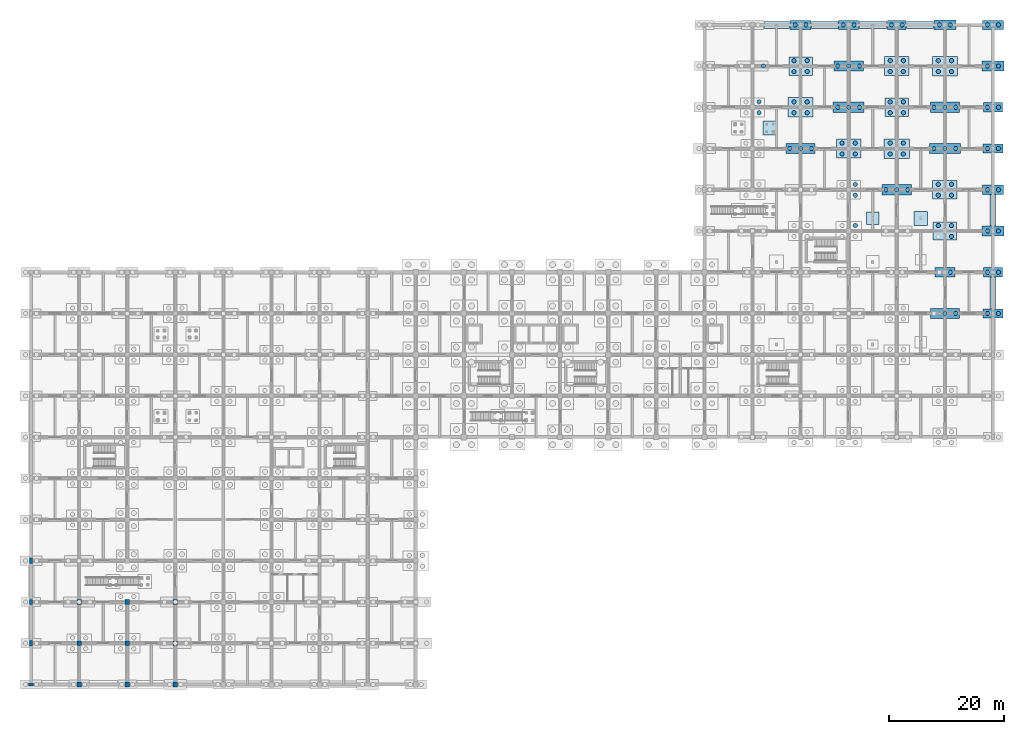
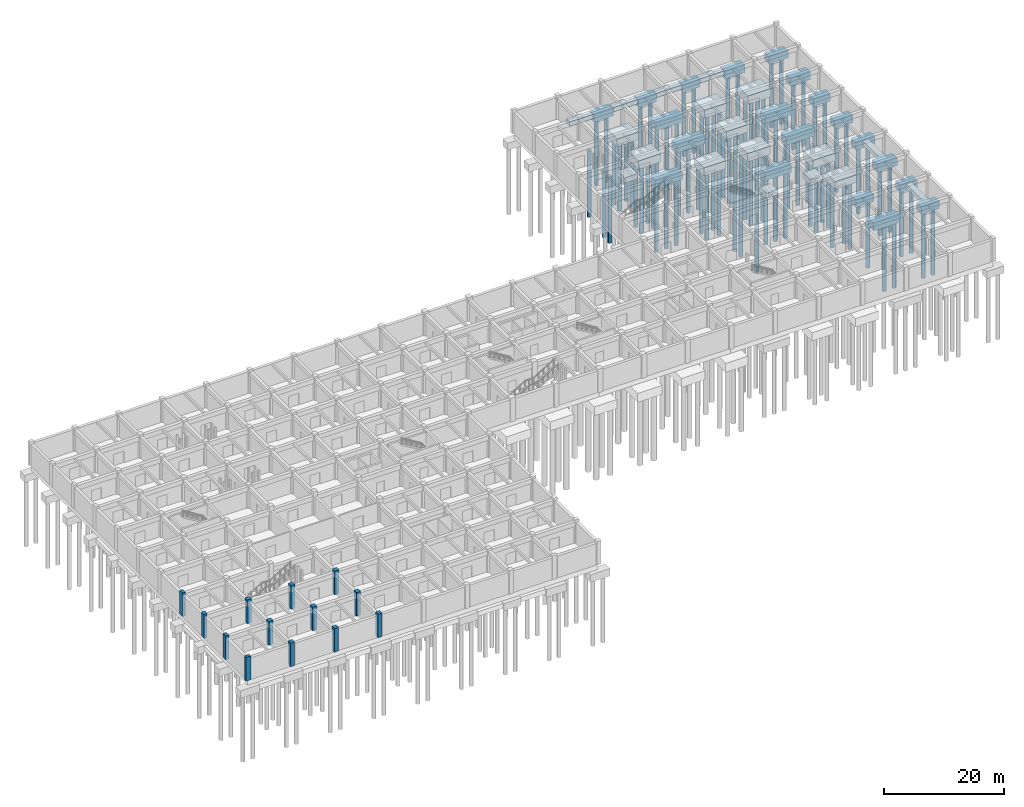
# One storey, part 5 of 38: 86 piles, 38 footings, 13 columns.
"""IFC4 building model written with IfcOpenShell, lengths in metres."""

from ifc_helpers import new_model, si_unit, derived_unit, direction, frame, origin, origin_2d, place, context, subcontext, project, spatial, rectangle, circle, extrude, material, material_profile, profile_set, type_object, element, save


model = new_model("IFC4")

# Units and contexts
model_context = context("Model", 3, precision=1e-05, world=origin(), true_north=direction((0.0, 1.0)))
body_context = subcontext(model_context, "Body", "Model", "MODEL_VIEW")
ifc_project = project(units=[si_unit("LENGTHUNIT", "METRE"), si_unit("AREAUNIT", "SQUARE_METRE"), si_unit("VOLUMEUNIT", "CUBIC_METRE"), si_unit("PLANEANGLEUNIT", "RADIAN"), si_unit("MASSUNIT", "GRAM", prefix="KILO"), derived_unit("THERMALTRANSMITTANCEUNIT", [(si_unit("MASSUNIT", "GRAM", prefix="KILO"), 1), (si_unit("TIMEUNIT", "SECOND"), -3), (si_unit("THERMODYNAMICTEMPERATUREUNIT", "KELVIN"), -1)])], contexts=[model_context])

# Site, building, storey
site_placement = place(None, origin())
site = spatial("IfcSite", under=ifc_project, at=site_placement, CompositionType="ELEMENT")
building_placement = place(site_placement, origin())
building = spatial("IfcBuilding", under=site, at=building_placement, Name="Veldstrom Oceanarium and Marine Research Institute", CompositionType="ELEMENT")
storey_placement = place(building_placement, frame((0.0, 0.0, -9.60009765625)))
storey = spatial("IfcBuildingStorey", under=building, at=storey_placement, Name="B02", CompositionType="ELEMENT", Elevation=-9.60009765625)

# Footings
ifc_material_1 = material(Name="Concrete C40/50", Category="concrete")
footing_type_1 = type_object("IfcFootingType", Name="STR-FTG-PC06", PredefinedType="PILE_CAP", material=ifc_material_1)
for number, where, z_axis, x_axis, name in (
    (1, (142.800048828125, 100.800048828125, -2.800048828125), (0.0, 0.0, 1.0), (1.0, 0.0, 0.0), "Pile Cap PC06 18/Q"),
    (2, (159.60009765625, 93.60009765625, -2.800048828125), (0.0, 0.0, 1.0), (1.0, 0.0, 0.0), "Pile Cap PC06 20/P"),
):
    element("IfcFooting", number, at=place(storey_placement, frame(where, z_axis=z_axis, x_axis=x_axis)), inside=storey, type_object=footing_type_1, Name=name, PredefinedType="PILE_CAP", context=body_context, shape_type="SweptSolid", body=[
        extrude(rectangle(XDim=5.39990234375, YDim=1.800048828125, at=origin_2d()), origin(), (0.0, 0.0, 1.0), 1.60009765625),
    ])
ifc_material_2 = material(Name="Concrete C40/50", Category="concrete")
footing_type_2 = type_object("IfcFootingType", Name="STR-FTG-PC07", PredefinedType="PILE_CAP", material=ifc_material_2)
for number, where, z_axis, x_axis, name in (
    (3, (134.39990234375, 93.60009765625, -2.75), (0.0, 0.0, 1.0), (1.0, 0.0, 0.0), "Pile Cap PC07 17/P"),
    (4, (142.800048828125, 108.0, -2.75), (0.0, 0.0, 1.0), (1.0, 0.0, 0.0), "Pile Cap PC07 18/R"),
    (5, (151.199951171875, 86.39990234375, -2.75), (0.0, 0.0, 1.0), (1.0, 0.0, 0.0), "Pile Cap PC07 19/N"),
    (6, (159.60009765625, 64.800048828125, -2.75), (0.0, 0.0, 1.0), (1.0, 0.0, 0.0), "Pile Cap PC07 20/K"),
    (7, (159.60009765625, 100.800048828125, -2.75), (0.0, 0.0, 1.0), (1.0, 0.0, 0.0), "Pile Cap PC07 20/Q"),
):
    element("IfcFooting", number, at=place(storey_placement, frame(where, z_axis=z_axis, x_axis=x_axis)), inside=storey, type_object=footing_type_2, Name=name, PredefinedType="PILE_CAP", context=body_context, shape_type="SweptSolid", body=[
        extrude(rectangle(XDim=5.10009765625, YDim=1.800048828125, at=origin_2d()), origin(), (0.0, 0.0, 1.0), 1.550048828125),
    ])
ifc_material_3 = material(Name="Concrete C40/50", Category="concrete")
footing_type_3 = type_object("IfcFootingType", Name="STR-FTG-PC08", PredefinedType="PILE_CAP", material=ifc_material_3)
for number, where, z_axis, x_axis, name in (
    (8, (134.39990234375, 115.199951171875, -2.699951171875), (0.0, 0.0, 1.0), (1.0, 0.0, 0.0), "Pile Cap PC08 17/S"),
    (9, (168.0, 86.39990234375, -2.699951171875), (0.0, 0.0, 1.0), (1.0, 0.0, 0.0), "Pile Cap PC08 21/N"),
    (10, (168.0, 115.199951171875, -2.699951171875), (0.0, 0.0, 1.0), (1.0, 0.0, 0.0), "Pile Cap PC08 21/S"),
):
    element("IfcFooting", number, at=place(storey_placement, frame(where, z_axis=z_axis, x_axis=x_axis)), inside=storey, type_object=footing_type_3, Name=name, PredefinedType="PILE_CAP", context=body_context, shape_type="SweptSolid", body=[
        extrude(rectangle(XDim=3.699951171875, YDim=1.60009765625, at=origin_2d()), origin(), (0.0, 0.0, 1.0), 1.5),
    ])
ifc_material_4 = material(Name="Concrete C40/50", Category="concrete")
footing_type_4 = type_object("IfcFootingType", Name="STR-FTG-PC09", PredefinedType="PILE_CAP", material=ifc_material_4)
for number, where, z_axis, x_axis, name in (
    (11, (142.800048828125, 115.199951171875, -2.699951171875), (0.0, 0.0, 1.0), (1.0, 0.0, 0.0), "Pile Cap PC09 18/S"),
    (12, (159.60009765625, 72.0, -2.699951171875), (0.0, 0.0, 1.0), (1.0, 0.0, 0.0), "Pile Cap PC09 20/L"),
    (13, (168.0, 64.800048828125, -2.699951171875), (0.0, 0.0, 1.0), (1.0, 0.0, 0.0), "Pile Cap PC09 21/K"),
    (14, (168.0, 93.60009765625, -2.699951171875), (0.0, 0.0, 1.0), (1.0, 0.0, 0.0), "Pile Cap PC09 21/P"),
):
    element("IfcFooting", number, at=place(storey_placement, frame(where, z_axis=z_axis, x_axis=x_axis)), inside=storey, type_object=footing_type_4, Name=name, PredefinedType="PILE_CAP", context=body_context, shape_type="SweptSolid", body=[
        extrude(rectangle(XDim=3.5, YDim=1.60009765625, at=origin_2d()), origin(), (0.0, 0.0, 1.0), 1.5),
    ])
ifc_material_5 = material(Name="Concrete C40/50", Category="concrete")
footing_type_5 = type_object("IfcFootingType", Name="STR-FTG-PC10", PredefinedType="PILE_CAP", material=ifc_material_5)
for number, where, z_axis, x_axis, name in (
    (15, (151.199951171875, 115.199951171875, -2.64990234375), (0.0, 0.0, 1.0), (1.0, 0.0, 0.0), "Pile Cap PC10 19/S"),
    (16, (168.0, 72.0, -2.64990234375), (0.0, 0.0, 1.0), (1.0, 0.0, 0.0), "Pile Cap PC10 21/L"),
    (17, (168.0, 100.800048828125, -2.64990234375), (0.0, 0.0, 1.0), (1.0, 0.0, 0.0), "Pile Cap PC10 21/Q"),
):
    element("IfcFooting", number, at=place(storey_placement, frame(where, z_axis=z_axis, x_axis=x_axis)), inside=storey, type_object=footing_type_5, Name=name, PredefinedType="PILE_CAP", context=body_context, shape_type="SweptSolid", body=[
        extrude(rectangle(XDim=3.300048828125, YDim=1.60009765625, at=origin_2d()), origin(), (0.0, 0.0, 1.0), 1.449951171875),
    ])
ifc_material_6 = material(Name="Concrete C40/50", Category="concrete")
footing_type_6 = type_object("IfcFootingType", Name="STR-FTG-PC11", PredefinedType="PILE_CAP", material=ifc_material_6)
for number, where, z_axis, x_axis, name in (
    (18, (134.39990234375, 100.800048828125, -2.89990234375), (0.0, 0.0, 1.0), (1.0, 0.0, 0.0), "Pile Cap PC11 17/Q"),
    (19, (151.199951171875, 93.60009765625, -2.89990234375), (0.0, 0.0, 1.0), (1.0, 0.0, 0.0), "Pile Cap PC11 19/P"),
    (20, (159.60009765625, 108.0, -2.89990234375), (0.0, 0.0, 1.0), (1.0, 0.0, 0.0), "Pile Cap PC11 20/R"),
):
    element("IfcFooting", number, at=place(storey_placement, frame(where, z_axis=z_axis, x_axis=x_axis)), inside=storey, type_object=footing_type_6, Name=name, PredefinedType="PILE_CAP", context=body_context, shape_type="SweptSolid", body=[
        extrude(rectangle(XDim=4.39990234375, YDim=3.39990234375, at=origin_2d()), origin(), (0.0, 0.0, 1.0), 1.699951171875),
    ])
ifc_material_7 = material(Name="Concrete C40/50", Category="concrete")
footing_type_7 = type_object("IfcFootingType", Name="STR-FTG-PC12", PredefinedType="PILE_CAP", material=ifc_material_7)
for number, where, z_axis, x_axis, name in (
    (21, (134.39990234375, 108.0, -2.800048828125), (0.0, 0.0, 1.0), (1.0, 0.0, 0.0), "Pile Cap PC12 17/R"),
    (22, (151.199951171875, 100.800048828125, -2.800048828125), (0.0, 0.0, 1.0), (1.0, 0.0, 0.0), "Pile Cap PC12 19/Q"),
    (23, (159.60009765625, 79.199951171875, -2.800048828125), (0.0, 0.0, 1.0), (1.0, 0.0, 0.0), "Pile Cap PC12 20/M"),
):
    element("IfcFooting", number, at=place(storey_placement, frame(where, z_axis=z_axis, x_axis=x_axis)), inside=storey, type_object=footing_type_7, Name=name, PredefinedType="PILE_CAP", context=body_context, shape_type="SweptSolid", body=[
        extrude(rectangle(XDim=4.10009765625, YDim=3.199951171875, at=origin_2d()), origin(), (0.0, 0.0, 1.0), 1.60009765625),
    ])
ifc_material_8 = material(Name="Concrete C40/50", Category="concrete")
footing_type_8 = type_object("IfcFootingType", Name="STR-FTG-PC13", PredefinedType="PILE_CAP", material=ifc_material_8)
for number, where, z_axis, x_axis, name in (
    (24, (142.800048828125, 93.60009765625, -2.849853515625), (0.0, 0.0, 1.0), (1.0, 0.0, 0.0), "Pile Cap PC13 18/P"),
    (25, (151.199951171875, 108.0, -2.849853515625), (0.0, 0.0, 1.0), (1.0, 0.0, 0.0), "Pile Cap PC13 19/R"),
    (26, (159.60009765625, 86.39990234375, -2.849853515625), (0.0, 0.0, 1.0), (1.0, 0.0, 0.0), "Pile Cap PC13 20/N"),
):
    element("IfcFooting", number, at=place(storey_placement, frame(where, z_axis=z_axis, x_axis=x_axis)), inside=storey, type_object=footing_type_8, Name=name, PredefinedType="PILE_CAP", context=body_context, shape_type="SweptSolid", body=[
        extrude(rectangle(XDim=4.25, YDim=3.300048828125, at=origin_2d()), origin(), (0.0, 0.0, 1.0), 1.64990234375),
    ])
ifc_material_9 = material(Name="Concrete C40/50", Category="concrete")
footing_type_9 = type_object("IfcFootingType", Name="STR-FTG-PC14", PredefinedType="PILE_CAP", material=ifc_material_9)
for number, where, z_axis, x_axis, name in (
    (27, (159.60009765625, 115.199951171875, -2.75), (0.0, 0.0, 1.0), (1.0, 0.0, 0.0), "Pile Cap PC14 20/S"),
    (28, (168.0, 79.199951171875, -2.75), (0.0, 0.0, 1.0), (1.0, 0.0, 0.0), "Pile Cap PC14 21/M"),
    (29, (168.0, 108.0, -2.75), (0.0, 0.0, 1.0), (1.0, 0.0, 0.0), "Pile Cap PC14 21/R"),
):
    element("IfcFooting", number, at=place(storey_placement, frame(where, z_axis=z_axis, x_axis=x_axis)), inside=storey, type_object=footing_type_9, Name=name, PredefinedType="PILE_CAP", context=body_context, shape_type="SweptSolid", body=[
        extrude(rectangle(XDim=3.85009765625, YDim=1.699951171875, at=origin_2d()), origin(), (0.0, 0.0, 1.0), 1.550048828125),
    ])
ifc_material_10 = material(Name="Concrete C40/50", Category="concrete")
footing_type_10 = type_object("IfcFootingType", Name="STR-FTG-PF01", PredefinedType="PAD_FOOTING", material=ifc_material_10)
for number, where, z_axis, x_axis, name in (
    (30, (155.39990234375, 81.39990234375, -2.300048828125), (0.0, 0.0, 1.0), (1.0, 0.0, 0.0), "Pad Footing PF01-01"),
    (31, (129.0400390625, 97.199951171875, -2.300048828125), (0.0, 0.0, 1.0), (1.0, 0.0, 0.0), "Gallery Stair TOP Footing PF01-GS6"),
):
    element("IfcFooting", number, at=place(storey_placement, frame(where, z_axis=z_axis, x_axis=x_axis)), inside=storey, type_object=footing_type_10, Name=name, PredefinedType="PAD_FOOTING", context=body_context, shape_type="SweptSolid", body=[
        extrude(rectangle(XDim=2.39990234375, YDim=2.39990234375, at=origin_2d()), origin(), (0.0, 0.0, 1.0), 1.10009765625),
    ])
ifc_material_11 = material(Name="Concrete C40/50", Category="concrete")
footing_type_11 = type_object("IfcFootingType", Name="STR-FTG-PF02", PredefinedType="PAD_FOOTING", material=ifc_material_11)
footing_1_placement = place(storey_placement, frame((147.0, 81.39990234375, -2.199951171875), z_axis=(0.0, 0.0, 1.0), x_axis=(1.0, 0.0, 0.0)))
element("IfcFooting", 32, at=footing_1_placement, inside=storey, type_object=footing_type_11, Name="Pad Footing PF02-02", PredefinedType="PAD_FOOTING", context=body_context, shape_type="SweptSolid", body=[
    extrude(rectangle(XDim=2.199951171875, YDim=2.199951171875, at=origin_2d()), origin(), (0.0, 0.0, 1.0), 1.0),
])
ifc_material_12 = material(Name="Concrete C40/50", Category="concrete")
footing_type_12 = type_object("IfcFootingType", Name="STR-FTG-SF03", PredefinedType="STRIP_FOOTING", material=ifc_material_12)
footing_2_placement = place(storey_placement, frame((130.237548828125, 115.199951171875, -2.099853515625), z_axis=(0.0, 0.0, 1.0), x_axis=(1.0, 0.0, 0.0)))
element("IfcFooting", 33, at=footing_2_placement, inside=storey, type_object=footing_type_12, Name="Continuous Wall Strip Footing SF03-09", PredefinedType="STRIP_FOOTING", context=body_context, shape_type="SweptSolid", body=[
    extrude(rectangle(XDim=4.5048828125, YDim=1.199951171875, at=origin_2d()), origin(), (0.0, 0.0, 1.0), 0.89990234375),
])
footing_3_placement = place(storey_placement, frame((138.64990234375, 115.199951171875, -2.099853515625), z_axis=(0.0, 0.0, 1.0), x_axis=(1.0, 0.0, 0.0)))
element("IfcFooting", 34, at=footing_3_placement, inside=storey, type_object=footing_type_12, Name="Continuous Wall Strip Footing SF03-10", PredefinedType="STRIP_FOOTING", context=body_context, shape_type="SweptSolid", body=[
    extrude(rectangle(XDim=4.679931640625, YDim=1.199951171875, at=origin_2d()), origin(), (0.0, 0.0, 1.0), 0.89990234375),
])
footing_4_placement = place(storey_placement, frame((147.050048828125, 115.199951171875, -2.099853515625), z_axis=(0.0, 0.0, 1.0), x_axis=(1.0, 0.0, 0.0)))
element("IfcFooting", 35, at=footing_4_placement, inside=storey, type_object=footing_type_12, Name="Continuous Wall Strip Footing SF03-11", PredefinedType="STRIP_FOOTING", context=body_context, shape_type="SweptSolid", body=[
    extrude(rectangle(XDim=4.8798828125, YDim=1.199951171875, at=origin_2d()), origin(), (0.0, 0.0, 1.0), 0.89990234375),
])
footing_5_placement = place(storey_placement, frame((155.262451171875, 115.199951171875, -2.099853515625), z_axis=(0.0, 0.0, 1.0), x_axis=(1.0, 0.0, 0.0)))
element("IfcFooting", 36, at=footing_5_placement, inside=storey, type_object=footing_type_12, Name="Continuous Wall Strip Footing SF03-12", PredefinedType="STRIP_FOOTING", context=body_context, shape_type="SweptSolid", body=[
    extrude(rectangle(XDim=4.705078125, YDim=1.199951171875, at=origin_2d()), origin(), (0.0, 0.0, 1.0), 0.89990234375),
])
ifc_material_13 = material(Name="Concrete C40/50", Category="concrete")
footing_type_13 = type_object("IfcFootingType", Name="STR-FTG-SF04", PredefinedType="STRIP_FOOTING", material=ifc_material_13)
footing_6_placement = place(storey_placement, frame((168.0, 68.39990234375, -2.050048828125), z_axis=(0.0, 0.0, 1.0), x_axis=(0.0, 1.0, 0.0)))
element("IfcFooting", 37, at=footing_6_placement, inside=storey, type_object=footing_type_13, Name="Continuous Wall Strip Footing SF04-18", PredefinedType="STRIP_FOOTING", context=body_context, shape_type="SweptSolid", body=[
    extrude(rectangle(XDim=5.47998046875, YDim=1.10009765625, at=origin_2d()), origin(), (0.0, 0.0, 1.0), 0.85009765625),
])
footing_7_placement = place(storey_placement, frame((168.0, 82.824951171875, -2.050048828125), z_axis=(0.0, 0.0, 1.0), x_axis=(0.0, 1.0, 0.0)))
element("IfcFooting", 38, at=footing_7_placement, inside=storey, type_object=footing_type_13, Name="Continuous Wall Strip Footing SF04-19", PredefinedType="STRIP_FOOTING", context=body_context, shape_type="SweptSolid", body=[
    extrude(rectangle(XDim=5.429931640625, YDim=1.10009765625, at=origin_2d()), origin(), (0.0, 0.0, 1.0), 0.85009765625),
])

# Piles
ifc_material_14 = material(Name="Concrete C40/50", Category="concrete")
ifc_material_profile_1 = material_profile(ifc_material_14, circle(Radius=0.375, at=origin_2d()), Name="PILE-D750")
ifc_profile_set_1 = profile_set([ifc_material_profile_1], Name="Concrete C40/50")
pile_type = type_object("IfcPileType", Name="STR-PILE-PL1", PredefinedType="BORED", material=ifc_profile_set_1)
for number, where, z_axis, x_axis, name in (
    (39, (127.14990234375, 99.85009765625, -2.849853515625), (0.0, 0.0, -1.0), (1.0, 0.0, 0.0), "Bored Pile PL1-461"),
    (40, (127.14990234375, 101.75, -2.849853515625), (0.0, 0.0, -1.0), (1.0, 0.0, 0.0), "Bored Pile PL1-463"),
    (41, (127.89990234375, 108.0, -2.7998046875), (0.0, 0.0, -1.0), (1.0, 0.0, 0.0), "Bored Pile PL1-466"),
    (42, (132.5, 93.60009765625, -2.75), (0.0, 0.0, -1.0), (1.0, 0.0, 0.0), "Bored Pile PL1-492"),
    (43, (134.39990234375, 93.60009765625, -2.75), (0.0, 0.0, -1.0), (1.0, 0.0, 0.0), "Bored Pile PL1-493"),
    (44, (136.300048828125, 93.60009765625, -2.75), (0.0, 0.0, -1.0), (1.0, 0.0, 0.0), "Bored Pile PL1-494"),
    (45, (133.25, 99.85009765625, -2.89990234375), (0.0, 0.0, -1.0), (1.0, 0.0, 0.0), "Bored Pile PL1-495"),
    (46, (135.550048828125, 99.85009765625, -2.89990234375), (0.0, 0.0, -1.0), (1.0, 0.0, 0.0), "Bored Pile PL1-496"),
    (47, (133.25, 101.75, -2.89990234375), (0.0, 0.0, -1.0), (1.0, 0.0, 0.0), "Bored Pile PL1-497"),
    (48, (135.550048828125, 101.75, -2.89990234375), (0.0, 0.0, -1.0), (1.0, 0.0, 0.0), "Bored Pile PL1-498"),
    (49, (133.25, 107.050048828125, -2.7998046875), (0.0, 0.0, -1.0), (1.0, 0.0, 0.0), "Bored Pile PL1-499"),
    (50, (135.550048828125, 107.050048828125, -2.7998046875), (0.0, 0.0, -1.0), (1.0, 0.0, 0.0), "Bored Pile PL1-500"),
    (51, (133.25, 108.949951171875, -2.7998046875), (0.0, 0.0, -1.0), (1.0, 0.0, 0.0), "Bored Pile PL1-501"),
    (52, (135.550048828125, 108.949951171875, -2.7998046875), (0.0, 0.0, -1.0), (1.0, 0.0, 0.0), "Bored Pile PL1-502"),
    (53, (133.449951171875, 115.199951171875, -2.699951171875), (0.0, 0.0, -1.0), (1.0, 0.0, 0.0), "Bored Pile PL1-503"),
    (54, (135.35009765625, 115.199951171875, -2.699951171875), (0.0, 0.0, -1.0), (1.0, 0.0, 0.0), "Bored Pile PL1-504"),
    (55, (143.949951171875, 80.14990234375, -2.89990234375), (0.0, 0.0, -1.0), (1.0, 0.0, 0.0), "Bored Pile PL1-525"),
    (56, (143.949951171875, 85.449951171875, -2.7998046875), (0.0, 0.0, -1.0), (1.0, 0.0, 0.0), "Bored Pile PL1-527"),
    (57, (143.949951171875, 87.35009765625, -2.7998046875), (0.0, 0.0, -1.0), (1.0, 0.0, 0.0), "Bored Pile PL1-529"),
    (58, (141.64990234375, 92.64990234375, -2.849853515625), (0.0, 0.0, -1.0), (1.0, 0.0, 0.0), "Bored Pile PL1-530"),
    (59, (143.949951171875, 92.64990234375, -2.849853515625), (0.0, 0.0, -1.0), (1.0, 0.0, 0.0), "Bored Pile PL1-531"),
    (60, (141.64990234375, 94.550048828125, -2.849853515625), (0.0, 0.0, -1.0), (1.0, 0.0, 0.0), "Bored Pile PL1-532"),
    (61, (143.949951171875, 94.550048828125, -2.849853515625), (0.0, 0.0, -1.0), (1.0, 0.0, 0.0), "Bored Pile PL1-533"),
    (62, (140.89990234375, 100.800048828125, -2.7998046875), (0.0, 0.0, -1.0), (1.0, 0.0, 0.0), "Bored Pile PL1-534"),
    (63, (142.800048828125, 100.800048828125, -2.7998046875), (0.0, 0.0, -1.0), (1.0, 0.0, 0.0), "Bored Pile PL1-535"),
    (64, (144.699951171875, 100.800048828125, -2.7998046875), (0.0, 0.0, -1.0), (1.0, 0.0, 0.0), "Bored Pile PL1-536"),
    (65, (140.89990234375, 108.0, -2.75), (0.0, 0.0, -1.0), (1.0, 0.0, 0.0), "Bored Pile PL1-537"),
    (66, (142.800048828125, 108.0, -2.75), (0.0, 0.0, -1.0), (1.0, 0.0, 0.0), "Bored Pile PL1-538"),
    (67, (144.699951171875, 108.0, -2.75), (0.0, 0.0, -1.0), (1.0, 0.0, 0.0), "Bored Pile PL1-539"),
    (68, (141.85009765625, 115.199951171875, -2.699951171875), (0.0, 0.0, -1.0), (1.0, 0.0, 0.0), "Bored Pile PL1-540"),
    (69, (143.75, 115.199951171875, -2.699951171875), (0.0, 0.0, -1.0), (1.0, 0.0, 0.0), "Bored Pile PL1-541"),
    (70, (149.300048828125, 86.39990234375, -2.75), (0.0, 0.0, -1.0), (1.0, 0.0, 0.0), "Bored Pile PL1-561"),
    (71, (151.199951171875, 86.39990234375, -2.75), (0.0, 0.0, -1.0), (1.0, 0.0, 0.0), "Bored Pile PL1-562"),
    (72, (153.10009765625, 86.39990234375, -2.75), (0.0, 0.0, -1.0), (1.0, 0.0, 0.0), "Bored Pile PL1-563"),
    (73, (150.050048828125, 92.64990234375, -2.89990234375), (0.0, 0.0, -1.0), (1.0, 0.0, 0.0), "Bored Pile PL1-564"),
    (74, (152.35009765625, 92.64990234375, -2.89990234375), (0.0, 0.0, -1.0), (1.0, 0.0, 0.0), "Bored Pile PL1-565"),
    (75, (150.050048828125, 94.550048828125, -2.89990234375), (0.0, 0.0, -1.0), (1.0, 0.0, 0.0), "Bored Pile PL1-566"),
    (76, (152.35009765625, 94.550048828125, -2.89990234375), (0.0, 0.0, -1.0), (1.0, 0.0, 0.0), "Bored Pile PL1-567"),
    (77, (150.050048828125, 99.85009765625, -2.7998046875), (0.0, 0.0, -1.0), (1.0, 0.0, 0.0), "Bored Pile PL1-568"),
    (78, (152.35009765625, 99.85009765625, -2.7998046875), (0.0, 0.0, -1.0), (1.0, 0.0, 0.0), "Bored Pile PL1-569"),
    (79, (150.050048828125, 101.75, -2.7998046875), (0.0, 0.0, -1.0), (1.0, 0.0, 0.0), "Bored Pile PL1-570"),
    (80, (152.35009765625, 101.75, -2.7998046875), (0.0, 0.0, -1.0), (1.0, 0.0, 0.0), "Bored Pile PL1-571"),
    (81, (150.050048828125, 107.050048828125, -2.849853515625), (0.0, 0.0, -1.0), (1.0, 0.0, 0.0), "Bored Pile PL1-572"),
    (82, (152.35009765625, 107.050048828125, -2.849853515625), (0.0, 0.0, -1.0), (1.0, 0.0, 0.0), "Bored Pile PL1-573"),
    (83, (150.050048828125, 108.949951171875, -2.849853515625), (0.0, 0.0, -1.0), (1.0, 0.0, 0.0), "Bored Pile PL1-574"),
    (84, (152.35009765625, 108.949951171875, -2.849853515625), (0.0, 0.0, -1.0), (1.0, 0.0, 0.0), "Bored Pile PL1-575"),
    (85, (150.25, 115.199951171875, -2.64990234375), (0.0, 0.0, -1.0), (1.0, 0.0, 0.0), "Bored Pile PL1-576"),
    (86, (152.14990234375, 115.199951171875, -2.64990234375), (0.0, 0.0, -1.0), (1.0, 0.0, 0.0), "Bored Pile PL1-577"),
    (87, (159.60009765625, 64.800048828125, -2.75), (0.0, 0.0, -1.0), (1.0, 0.0, 0.0), "Bored Pile PL1-590"),
    (88, (161.5, 64.800048828125, -2.75), (0.0, 0.0, -1.0), (1.0, 0.0, 0.0), "Bored Pile PL1-591"),
    (89, (160.550048828125, 72.0, -2.699951171875), (0.0, 0.0, -1.0), (1.0, 0.0, 0.0), "Bored Pile PL1-593"),
    (90, (160.75, 78.25, -2.7998046875), (0.0, 0.0, -1.0), (1.0, 0.0, 0.0), "Bored Pile PL1-595"),
    (91, (158.449951171875, 80.14990234375, -2.7998046875), (0.0, 0.0, -1.0), (1.0, 0.0, 0.0), "Bored Pile PL1-596"),
    (92, (160.75, 80.14990234375, -2.7998046875), (0.0, 0.0, -1.0), (1.0, 0.0, 0.0), "Bored Pile PL1-597"),
    (93, (158.449951171875, 85.449951171875, -2.849853515625), (0.0, 0.0, -1.0), (1.0, 0.0, 0.0), "Bored Pile PL1-598"),
    (94, (160.75, 85.449951171875, -2.849853515625), (0.0, 0.0, -1.0), (1.0, 0.0, 0.0), "Bored Pile PL1-599"),
    (95, (158.449951171875, 87.35009765625, -2.849853515625), (0.0, 0.0, -1.0), (1.0, 0.0, 0.0), "Bored Pile PL1-600"),
    (96, (160.75, 87.35009765625, -2.849853515625), (0.0, 0.0, -1.0), (1.0, 0.0, 0.0), "Bored Pile PL1-601"),
    (97, (157.699951171875, 93.60009765625, -2.7998046875), (0.0, 0.0, -1.0), (1.0, 0.0, 0.0), "Bored Pile PL1-602"),
    (98, (159.60009765625, 93.60009765625, -2.7998046875), (0.0, 0.0, -1.0), (1.0, 0.0, 0.0), "Bored Pile PL1-603"),
    (99, (161.5, 93.60009765625, -2.7998046875), (0.0, 0.0, -1.0), (1.0, 0.0, 0.0), "Bored Pile PL1-604"),
    (100, (157.699951171875, 100.800048828125, -2.75), (0.0, 0.0, -1.0), (1.0, 0.0, 0.0), "Bored Pile PL1-605"),
    (101, (159.60009765625, 100.800048828125, -2.75), (0.0, 0.0, -1.0), (1.0, 0.0, 0.0), "Bored Pile PL1-606"),
    (102, (161.5, 100.800048828125, -2.75), (0.0, 0.0, -1.0), (1.0, 0.0, 0.0), "Bored Pile PL1-607"),
    (103, (158.449951171875, 107.050048828125, -2.89990234375), (0.0, 0.0, -1.0), (1.0, 0.0, 0.0), "Bored Pile PL1-608"),
    (104, (160.75, 107.050048828125, -2.89990234375), (0.0, 0.0, -1.0), (1.0, 0.0, 0.0), "Bored Pile PL1-609"),
    (105, (158.449951171875, 108.949951171875, -2.89990234375), (0.0, 0.0, -1.0), (1.0, 0.0, 0.0), "Bored Pile PL1-610"),
    (106, (160.75, 108.949951171875, -2.89990234375), (0.0, 0.0, -1.0), (1.0, 0.0, 0.0), "Bored Pile PL1-611"),
    (107, (158.64990234375, 115.199951171875, -2.75), (0.0, 0.0, -1.0), (1.0, 0.0, 0.0), "Bored Pile PL1-612"),
    (108, (160.550048828125, 115.199951171875, -2.75), (0.0, 0.0, -1.0), (1.0, 0.0, 0.0), "Bored Pile PL1-613"),
    (109, (167.050048828125, 64.800048828125, -2.699951171875), (0.0, 0.0, -1.0), (1.0, 0.0, 0.0), "Bored Pile PL1-620"),
    (110, (168.949951171875, 64.800048828125, -2.699951171875), (0.0, 0.0, -1.0), (1.0, 0.0, 0.0), "Bored Pile PL1-621"),
    (111, (167.050048828125, 72.0, -2.64990234375), (0.0, 0.0, -1.0), (1.0, 0.0, 0.0), "Bored Pile PL1-622"),
    (112, (168.949951171875, 72.0, -2.64990234375), (0.0, 0.0, -1.0), (1.0, 0.0, 0.0), "Bored Pile PL1-623"),
    (113, (167.050048828125, 79.199951171875, -2.75), (0.0, 0.0, -1.0), (1.0, 0.0, 0.0), "Bored Pile PL1-624"),
    (114, (168.949951171875, 79.199951171875, -2.75), (0.0, 0.0, -1.0), (1.0, 0.0, 0.0), "Bored Pile PL1-625"),
    (115, (167.050048828125, 86.39990234375, -2.699951171875), (0.0, 0.0, -1.0), (1.0, 0.0, 0.0), "Bored Pile PL1-626"),
    (116, (168.949951171875, 86.39990234375, -2.699951171875), (0.0, 0.0, -1.0), (1.0, 0.0, 0.0), "Bored Pile PL1-627"),
    (117, (167.050048828125, 93.60009765625, -2.699951171875), (0.0, 0.0, -1.0), (1.0, 0.0, 0.0), "Bored Pile PL1-628"),
    (118, (168.949951171875, 93.60009765625, -2.699951171875), (0.0, 0.0, -1.0), (1.0, 0.0, 0.0), "Bored Pile PL1-629"),
    (119, (167.050048828125, 100.800048828125, -2.64990234375), (0.0, 0.0, -1.0), (1.0, 0.0, 0.0), "Bored Pile PL1-630"),
    (120, (168.949951171875, 100.800048828125, -2.64990234375), (0.0, 0.0, -1.0), (1.0, 0.0, 0.0), "Bored Pile PL1-631"),
    (121, (167.050048828125, 108.0, -2.75), (0.0, 0.0, -1.0), (1.0, 0.0, 0.0), "Bored Pile PL1-632"),
    (122, (168.949951171875, 108.0, -2.75), (0.0, 0.0, -1.0), (1.0, 0.0, 0.0), "Bored Pile PL1-633"),
    (123, (167.050048828125, 115.199951171875, -2.699951171875), (0.0, 0.0, -1.0), (1.0, 0.0, 0.0), "Bored Pile PL1-634"),
    (124, (168.949951171875, 115.199951171875, -2.699951171875), (0.0, 0.0, -1.0), (1.0, 0.0, 0.0), "Bored Pile PL1-635"),
):
    element("IfcPile", number, at=place(storey_placement, frame(where, z_axis=z_axis, x_axis=x_axis)), inside=storey, type_object=pile_type, Name=name, PredefinedType="BORED", context=body_context, shape_type="SweptSolid", body=[
        extrude(circle(Radius=0.375, at=origin_2d()), origin(), (0.0, 0.0, 1.0), 13.5),
    ])

# Columns
ifc_material_15 = material(Name="Concrete C50/60", Category="concrete")
ifc_material_profile_2 = material_profile(ifc_material_15, rectangle(XDim=0.800048828125, YDim=0.800048828125, at=origin_2d()), Name="RC-COL-800x800")
ifc_profile_set_2 = profile_set([ifc_material_profile_2], Name="Concrete C50/60")
column_type_1 = type_object("IfcColumnType", Name="STR-COL-C04", PredefinedType="COLUMN", material=ifc_profile_set_2)
for number, where, z_axis, x_axis, name in (
    (125, (8.39990234375, 0.0, 0.0), (0.0, 0.0, 1.0), (1.0, 0.0, 0.0), "Column C04 2/A B02"),
    (126, (8.39990234375, 7.199951171875, 0.0), (0.0, 0.0, 1.0), (1.0, 0.0, 0.0), "Column C04 2/B B02"),
    (127, (8.39990234375, 14.39990234375, 0.0), (0.0, 0.0, 1.0), (1.0, 0.0, 0.0), "Column C04 2/C B02"),
    (128, (16.800048828125, 0.0, 0.0), (0.0, 0.0, 1.0), (1.0, 0.0, 0.0), "Column C04 3/A B02"),
    (129, (16.800048828125, 7.199951171875, 0.0), (0.0, 0.0, 1.0), (1.0, 0.0, 0.0), "Column C04 3/B B02"),
    (130, (16.800048828125, 14.39990234375, 0.0), (0.0, 0.0, 1.0), (1.0, 0.0, 0.0), "Column C04 3/C B02"),
    (131, (25.199951171875, 0.0, 0.0), (0.0, 0.0, 1.0), (1.0, 0.0, 0.0), "Column C04 4/A B02"),
    (132, (25.199951171875, 7.199951171875, 0.0), (0.0, 0.0, 1.0), (1.0, 0.0, 0.0), "Column C04 4/B B02"),
    (133, (25.199951171875, 14.39990234375, 0.0), (0.0, 0.0, 1.0), (1.0, 0.0, 0.0), "Column C04 4/C B02"),
):
    element("IfcColumn", number, at=place(storey_placement, frame(where, z_axis=z_axis, x_axis=x_axis)), inside=storey, type_object=column_type_1, Name=name, PredefinedType="COLUMN", context=body_context, shape_type="SweptSolid", body=[
        extrude(rectangle(XDim=0.800048828125, YDim=0.800048828125, at=origin_2d()), origin(), (0.0, 0.0, 1.0), 4.800048828125),
    ])
ifc_material_16 = material(Name="Concrete C50/60", Category="concrete")
ifc_material_profile_3 = material_profile(ifc_material_16, rectangle(XDim=0.60009765625, YDim=0.89990234375, at=origin_2d()), Name="RC-COL-900x600")
ifc_profile_set_3 = profile_set([ifc_material_profile_3], Name="Concrete C50/60")
column_type_2 = type_object("IfcColumnType", Name="STR-COL-C11", PredefinedType="COLUMN", material=ifc_profile_set_3)
for number, where, z_axis, x_axis, name in (
    (134, (0.0, 0.0, 0.0), (0.0, 0.0, 1.0), (0.0, 1.0, 0.0), "Column C11 1/A B02"),
    (135, (0.0, 7.199951171875, 0.0), (0.0, 0.0, 1.0), (1.0, 0.0, 0.0), "Column C11 1/B B02"),
    (136, (0.0, 14.39990234375, 0.0), (0.0, 0.0, 1.0), (1.0, 0.0, 0.0), "Column C11 1/C B02"),
    (137, (0.0, 21.60009765625, 0.0), (0.0, 0.0, 1.0), (1.0, 0.0, 0.0), "Column C11 1/D B02"),
):
    element("IfcColumn", number, at=place(storey_placement, frame(where, z_axis=z_axis, x_axis=x_axis)), inside=storey, type_object=column_type_2, Name=name, PredefinedType="COLUMN", context=body_context, shape_type="SweptSolid", body=[
        extrude(rectangle(XDim=0.60009765625, YDim=0.89990234375, at=origin_2d()), origin(), (0.0, 0.0, 1.0), 4.800048828125),
    ])

save(model, "model.ifc")
